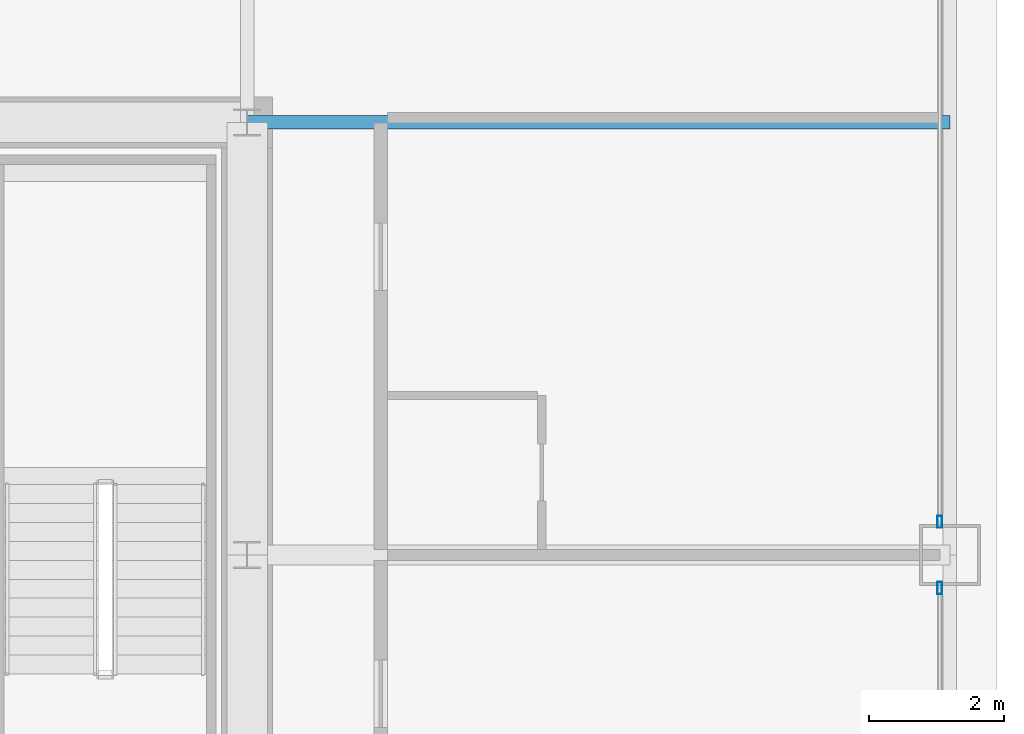
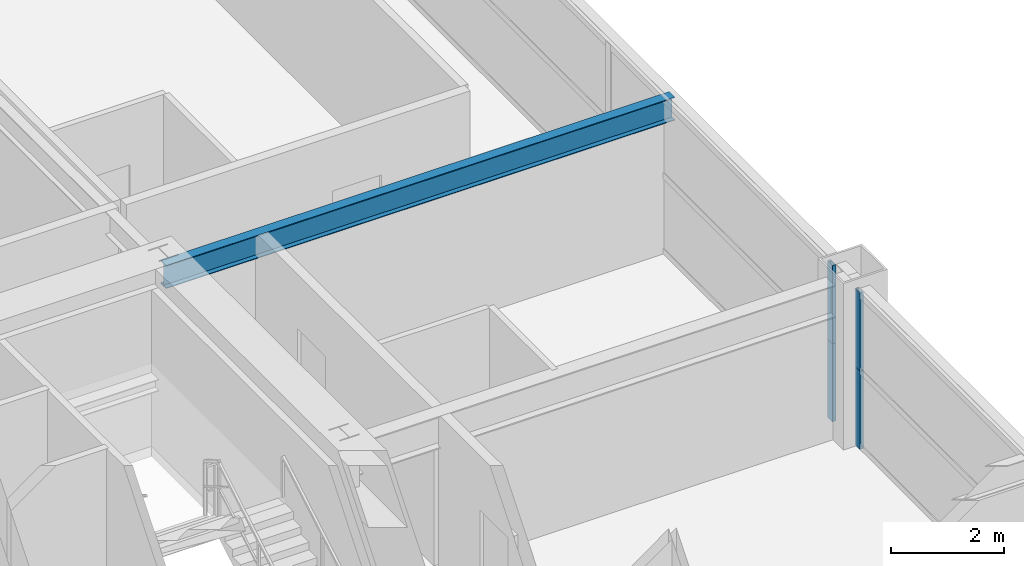
# One storey, part 23 of 43: 4 members, 1 beam, 2 elements without a shape of their own.
"""IFC4 building model written with IfcOpenShell, lengths in metres."""

import ifcopenshell
import ifcopenshell.guid

model = None  # the IFC model being written
_history = None  # IfcOwnerHistory: only IFC2X3 demands one
_inside = {}  # id of a spatial element -> (the spatial element, [elements in it])
_under = {}  # id of a project, library or spatial element -> (it, [spatial elements below it])
_declared = {}  # id of a project -> (the project, [libraries it declares])
_typed = {}  # id of a type object -> (the type object, [elements of that type])
_made_of = {}  # id of a material, layer set ... -> (it, [elements and type objects made of it])


def new_model(schema):
    """Start an empty IFC model of exactly this schema.

    Asked for "IFC4X3", IfcOpenShell would pick the latest addendum, in which some entities
    have other attributes; the version numbers below select the first issue.
    IFC2X3 requires an IfcOwnerHistory on every rooted entity: one is made here for all.
    """
    global model, _history
    if schema == "IFC4X3":
        model = ifcopenshell.file(schema_version=(4, 3, 0, 0))
    else:
        model = ifcopenshell.file(schema=schema)
    _inside.clear()
    _under.clear()
    _declared.clear()
    _typed.clear()
    _made_of.clear()
    _history = None
    if model.schema == "IFC2X3":
        org = make("IfcOrganization", Name="unknown")
        user = make(
            "IfcPersonAndOrganization",
            ThePerson=make("IfcPerson", FamilyName="unknown"),
            TheOrganization=org,
        )
        app = make(
            "IfcApplication",
            ApplicationDeveloper=org,
            Version="unknown",
            ApplicationFullName="unknown",
            ApplicationIdentifier="unknown",
        )
        _history = make(
            "IfcOwnerHistory",
            OwningUser=user,
            OwningApplication=app,
            ChangeAction="ADDED",
            CreationDate=0,
        )
    return model


def make(cls, **values):
    """One entity of the class cls with the attributes given. An attribute that is None is left unset."""
    return model.create_entity(
        cls, **{name: value for name, value in values.items() if value is not None}
    )


def rooted(cls, **values):
    """An entity with a GlobalId (a new one), such as an element, a storey or a relation."""
    return make(cls, GlobalId=ifcopenshell.guid.new(), OwnerHistory=_history, **values)


def si_unit(unit_type, name, prefix=None):
    """IfcSIUnit, for example si_unit("LENGTHUNIT", "METRE", prefix="MILLI")."""
    return make("IfcSIUnit", UnitType=unit_type, Prefix=prefix, Name=name)


def assignment(units):
    """IfcUnitAssignment: the units of a project."""
    return None if units is None else make("IfcUnitAssignment", Units=units)


def point(xyz):
    """IfcCartesianPoint."""
    return None if xyz is None else make("IfcCartesianPoint", Coordinates=xyz)


def direction(xyz):
    """IfcDirection."""
    return None if xyz is None else make("IfcDirection", DirectionRatios=xyz)


def frame(location, z_axis=None, x_axis=None):
    """IfcAxis2Placement3D, a coordinate frame: its origin and axes. An axis left out is left unset."""
    return make(
        "IfcAxis2Placement3D",
        Location=point(location),
        Axis=direction(z_axis),
        RefDirection=direction(x_axis),
    )


def frame_2d(location, x_axis=None):
    """IfcAxis2Placement2D, a coordinate frame in the plane: its origin and x axis."""
    return make(
        "IfcAxis2Placement2D", Location=point(location), RefDirection=direction(x_axis)
    )


def origin():
    """The frame at (0, 0, 0) with its axes left unset."""
    return frame((0.0, 0.0, 0.0))


def origin_2d():
    """The frame at (0, 0) in the plane with its x axis left unset."""
    return frame_2d((0.0, 0.0))


def place(relative_to, where):
    """IfcLocalPlacement: puts the frame where relative to a parent placement (None: the world)."""
    return make(
        "IfcLocalPlacement", PlacementRelTo=relative_to, RelativePlacement=where
    )


def context(
    kind, dimensions, precision=None, world=None, true_north=None, identifier=None
):
    """IfcGeometricRepresentationContext, for example the 3D "Model" context."""
    return make(
        "IfcGeometricRepresentationContext",
        ContextIdentifier=identifier,
        ContextType=kind,
        CoordinateSpaceDimension=dimensions,
        Precision=precision,
        WorldCoordinateSystem=world,
        TrueNorth=true_north,
    )


def subcontext(parent, identifier, kind, view, scale=None):
    """IfcGeometricRepresentationSubContext, for example "Body" below "Model"."""
    return make(
        "IfcGeometricRepresentationSubContext",
        ContextIdentifier=identifier,
        ContextType=kind,
        ParentContext=parent,
        TargetScale=scale,
        TargetView=view,
    )


def project(units=None, contexts=None):
    """IfcProject with its units and contexts."""
    return rooted(
        "IfcProject",
        Name="project",
        RepresentationContexts=contexts,
        UnitsInContext=assignment(units),
    )


def spatial(cls, under=None, at=None, **own):
    """A site, building, storey or space (cls), placed at a placement, below another one or the project."""
    s = rooted(cls, ObjectPlacement=at, **own)
    if under is not None:
        _under.setdefault(under.id(), (under, []))[1].append(s)
    return s


def profile(cls, at=None, kind="AREA", **sizes):
    """A parametric profile (cls). Its sizes go by their IFC names, for example OverallWidth=200.0."""
    return make(cls, ProfileType=kind, Position=at, **sizes)


def hollow_rectangle(**sizes):
    """IfcRectangleHollowProfileDef."""
    return profile("IfcRectangleHollowProfileDef", **sizes)


def i_section(**sizes):
    """IfcIShapeProfileDef."""
    return profile("IfcIShapeProfileDef", **sizes)


def extrude(swept, where, along, depth):
    """IfcExtrudedAreaSolid: the profile swept, set in the frame where, extruded along a direction by depth."""
    return make(
        "IfcExtrudedAreaSolid",
        SweptArea=swept,
        Position=where,
        ExtrudedDirection=direction(along),
        Depth=depth,
    )


def shape(context_of_items, identifier, shape_type, items):
    """IfcShapeRepresentation: the items that make up one representation, for example the "Body"."""
    return make(
        "IfcShapeRepresentation",
        ContextOfItems=context_of_items,
        RepresentationIdentifier=identifier,
        RepresentationType=shape_type,
        Items=items,
    )


def source(mapping_origin, context_of_items, identifier, shape_type, items):
    """IfcRepresentationMap: a shape defined once, which mapped items show again and again."""
    return make(
        "IfcRepresentationMap",
        MappingOrigin=mapping_origin,
        MappedRepresentation=shape(context_of_items, identifier, shape_type, items),
    )


def transform(
    local_origin,
    x_axis=None,
    y_axis=None,
    z_axis=None,
    scale=None,
    scale2=None,
    scale3=None,
    uniform=True,
):
    """IfcCartesianTransformationOperator3D, or its non-uniform kind. x_axis, y_axis, z_axis: its Axis1, 2, 3."""
    if uniform:
        return make(
            "IfcCartesianTransformationOperator3D",
            Axis1=direction(x_axis),
            Axis2=direction(y_axis),
            LocalOrigin=point(local_origin),
            Scale=scale,
            Axis3=direction(z_axis),
        )
    return make(
        "IfcCartesianTransformationOperator3DnonUniform",
        Axis1=direction(x_axis),
        Axis2=direction(y_axis),
        LocalOrigin=point(local_origin),
        Scale=scale,
        Axis3=direction(z_axis),
        Scale2=scale2,
        Scale3=scale3,
    )


def mapped(mapping_source, mapping_target):
    """IfcMappedItem: shows the shape of a source again, moved by a transform."""
    return make(
        "IfcMappedItem", MappingSource=mapping_source, MappingTarget=mapping_target
    )


def material(Name=None, Category=None):
    """IfcMaterial."""
    return make("IfcMaterial", Name=Name, Category=Category)


def layer(
    of_material, thickness, ventilated=None, Name=None, Category=None, Priority=None
):
    """IfcMaterialLayer: one layer of a wall or slab, of a material (None: an air gap)."""
    return make(
        "IfcMaterialLayer",
        Material=of_material,
        LayerThickness=thickness,
        IsVentilated=ventilated,
        Name=Name,
        Category=Category,
        Priority=Priority,
    )


def layer_set(layers, Name=None):
    """IfcMaterialLayerSet."""
    return make("IfcMaterialLayerSet", MaterialLayers=layers, LayerSetName=Name)


def material_profile(
    of_material, cross_section, Name=None, Category=None, Priority=None
):
    """IfcMaterialProfile: a cross section and its material."""
    return make(
        "IfcMaterialProfile",
        Name=Name,
        Material=of_material,
        Profile=cross_section,
        Priority=Priority,
        Category=Category,
    )


def profile_set(profiles, Name=None, composite=None):
    """IfcMaterialProfileSet."""
    return make(
        "IfcMaterialProfileSet",
        Name=Name,
        MaterialProfiles=profiles,
        CompositeProfile=composite,
    )


def made_of(thing, what):
    """Note that an element or type object is made of a material, layer set ...; save() writes the relation."""
    if what is not None:
        _made_of.setdefault(what.id(), (what, []))[1].append(thing)
    return thing


def type_object(cls, material=None, **own):
    """A type object (cls), such as IfcWallType, which elements share."""
    return made_of(rooted(cls, **own), material)


def element(
    cls,
    number,
    at=None,
    inside=None,
    cuts=None,
    type_object=None,
    material=None,
    context=None,
    identifier="Body",
    shape_type=None,
    held_by="IfcProductDefinitionShape",
    body=None,
    shapes=None,
    **own,
):
    """One element of the class cls, such as IfcWall. Its Tag is "e" and its number.

    at: its placement. inside: the storey or other place that contains it. cuts: it is an
    opening in that element (IfcRelVoidsElement). A single representation is given by context,
    identifier, shape_type and body (its items); several are given by shapes. held_by: the class
    of the entity that holds the representations. save() writes the other relations.
    """
    e = rooted(cls, Tag="e%d" % number, ObjectPlacement=at, **own)
    if body is not None:
        shapes = [shape(context, identifier, shape_type, body)]
    if shapes is not None:
        e.Representation = make(held_by, Representations=shapes)
    if inside is not None:
        _inside.setdefault(inside.id(), (inside, []))[1].append(e)
    if cuts is not None:
        rooted(
            "IfcRelVoidsElement", RelatingBuildingElement=cuts, RelatedOpeningElement=e
        )
    if type_object is not None:
        _typed.setdefault(type_object.id(), (type_object, []))[1].append(e)
    return made_of(e, material)


def aggregate(whole, parts):
    """IfcRelAggregates: a whole, such as a stair, and the parts it consists of."""
    return rooted("IfcRelAggregates", RelatingObject=whole, RelatedObjects=parts)


def save(model, path):
    """Write the relations noted so far, then the file.

    IfcRelAggregates (storeys below a building ...), IfcRelContainedInSpatialStructure (elements
    in a storey), IfcRelDefinesByType, IfcRelAssociatesMaterial and IfcRelDeclares: one each for
    every whole, place, type object, material and project.
    """
    for whole, parts in _under.values():
        aggregate(whole, parts)
    for where, things in _inside.values():
        rooted(
            "IfcRelContainedInSpatialStructure",
            RelatedElements=things,
            RelatingStructure=where,
        )
    for kind, things in _typed.values():
        rooted("IfcRelDefinesByType", RelatedObjects=things, RelatingType=kind)
    for what, things in _made_of.values():
        rooted("IfcRelAssociatesMaterial", RelatedObjects=things, RelatingMaterial=what)
    for by, libraries in _declared.values():
        rooted("IfcRelDeclares", RelatingContext=by, RelatedDefinitions=libraries)
    model.write(path)


model = new_model("IFC4")

# Units and contexts
model_context = context("Model", 3, precision=1e-05, world=origin(), true_north=direction((0.0, 1.0)))
body_context = subcontext(model_context, "Body", "Model", "MODEL_VIEW")
ifc_project = project(units=[si_unit("LENGTHUNIT", "METRE"), si_unit("AREAUNIT", "SQUARE_METRE"), si_unit("VOLUMEUNIT", "CUBIC_METRE"), si_unit("PLANEANGLEUNIT", "RADIAN"), si_unit("MASSUNIT", "GRAM", prefix="KILO"), si_unit("THERMODYNAMICTEMPERATUREUNIT", "KELVIN"), si_unit("POWERUNIT", "WATT")], contexts=[model_context])

# Site, building, storey
site_placement = place(None, origin())
site = spatial("IfcSite", under=ifc_project, at=site_placement, CompositionType="ELEMENT")
building_placement = place(site_placement, origin())
building = spatial("IfcBuilding", under=site, at=building_placement, Name="Yuzanri Waterfront Tower", CompositionType="ELEMENT")
storey_placement = place(building_placement, frame((0.0, 0.0, 138.0)))
storey = spatial("IfcBuildingStorey", under=building, at=storey_placement, Name="L36", CompositionType="ELEMENT", Elevation=138.0)

# Beam
ifc_material_1 = material(Name="Steel Q355B", Category="steel")
ifc_material_profile_1 = material_profile(ifc_material_1, i_section(OverallWidth=0.199951171875, OverallDepth=0.5, WebThickness=0.010009765625, FlangeThickness=0.01611328125, at=origin_2d()), Name="HN 500x200x10x16")
ifc_profile_set_1 = profile_set([ifc_material_profile_1], Name="Steel Q355B")
beam_type = type_object("IfcBeamType", Name="Secondary Floor Beam Q355B HN 500x200", PredefinedType="BEAM", material=ifc_profile_set_1)
shared_shape_1 = source(origin(), body_context, "Body", "SweptSolid", [
    extrude(i_section(OverallWidth=0.199951171875, OverallDepth=0.5, WebThickness=0.010009765625, FlangeThickness=0.01611328125, at=origin_2d()), origin(), (0.0, 0.0, 1.0), 10.400146484375),
])
beam_placement = place(storey_placement, frame((50.199951171875, 32.199951171875, 3.1298828125), z_axis=(1.0, 0.0, 0.0), x_axis=(0.0, 1.0, 0.0)))
element("IfcBeam", 1, at=beam_placement, inside=storey, type_object=beam_type, Name="L36 East-North Core Line Beam", PredefinedType="BEAM", context=body_context, shape_type="MappedRepresentation", body=[
    mapped(shared_shape_1, transform((0.0, 0.0, 0.0), scale=1.0)),
])

# Curtain wall, members
ifc_material_2 = material(Name="Anodized Architectural Bronze", Category="metal")
ifc_layer = layer(ifc_material_2, 0.159912109375)
ifc_layer_set = layer_set([ifc_layer], Name="Anodized Architectural Bronze")
curtain_wall_type = type_object("IfcCurtainWallType", Name="Anodized Bronze Hotel Upper-Tier Solar-Control Unitized Curtain Wall 7800", PredefinedType="NOTDEFINED", material=ifc_layer_set)
curtain_wall_1_placement = place(storey_placement, origin())
curtain_wall_1 = element("IfcCurtainWall", 2, at=curtain_wall_1_placement, inside=storey, type_object=curtain_wall_type, Name="L36 Curtain Wall CW-L36-EL", PredefinedType="NOTDEFINED")
ifc_material_3 = material(Name="Anodized Architectural Bronze", Category="metal")
ifc_material_profile_2 = material_profile(ifc_material_3, hollow_rectangle(XDim=0.070068359375, YDim=0.179931640625, WallThickness=0.00390625, at=origin_2d()), Name="CWM 70x180")
ifc_profile_set_2 = profile_set([ifc_material_profile_2], Name="Anodized Architectural Bronze")
member_type = type_object("IfcMemberType", Name="Anodized Bronze Standard Curtain-Wall Mullion 70x180", PredefinedType="MULLION", material=ifc_profile_set_2)
shared_shape_2 = source(origin(), body_context, "Body", "SweptSolid", [
    extrude(hollow_rectangle(XDim=0.070068359375, YDim=0.179931640625, WallThickness=0.00390625, at=origin_2d()), origin(), (0.0, 0.0, 1.0), 1.68798828125),
])
member_1_placement = place(storey_placement, frame((60.449951171875, 25.31005859375, 0.0), z_axis=(0.0, 0.0, 1.0), x_axis=(1.0, 0.0, 0.0)))
member_1 = element("IfcMember", 3, at=member_1_placement, type_object=member_type, Name="CW-L36-EL Lower Mullion 02", PredefinedType="MULLION", context=body_context, shape_type="MappedRepresentation", body=[
    mapped(shared_shape_2, transform((0.0, 0.0, 0.0), scale=1.0)),
])
member_2_placement = place(storey_placement, frame((60.449951171875, 25.31005859375, 1.69189453125), z_axis=(0.0, 0.0, 1.0), x_axis=(1.0, 0.0, 0.0)))
member_2 = element("IfcMember", 4, at=member_2_placement, type_object=member_type, Name="CW-L36-EL Upper Mullion 02", PredefinedType="MULLION", context=body_context, shape_type="MappedRepresentation", body=[
    mapped(shared_shape_2, transform((0.0, 0.0, 0.0), scale=1.0)),
])
aggregate(curtain_wall_1, [member_1, member_2])

curtain_wall_2_placement = place(storey_placement, origin())
curtain_wall_2 = element("IfcCurtainWall", 5, at=curtain_wall_2_placement, inside=storey, type_object=curtain_wall_type, Name="L36 Curtain Wall CW-L36-ER", PredefinedType="NOTDEFINED")
member_3_placement = place(storey_placement, frame((60.449951171875, 26.2900390625, 0.0), z_axis=(0.0, 0.0, 1.0), x_axis=(1.0, 0.0, 0.0)))
member_3 = element("IfcMember", 6, at=member_3_placement, type_object=member_type, Name="CW-L36-ER Lower Mullion 00", PredefinedType="MULLION", context=body_context, shape_type="MappedRepresentation", body=[
    mapped(shared_shape_2, transform((0.0, 0.0, 0.0), scale=1.0)),
])
member_4_placement = place(storey_placement, frame((60.449951171875, 26.2900390625, 1.69189453125), z_axis=(0.0, 0.0, 1.0), x_axis=(1.0, 0.0, 0.0)))
member_4 = element("IfcMember", 7, at=member_4_placement, type_object=member_type, Name="CW-L36-ER Upper Mullion 00", PredefinedType="MULLION", context=body_context, shape_type="MappedRepresentation", body=[
    mapped(shared_shape_2, transform((0.0, 0.0, 0.0), scale=1.0)),
])
aggregate(curtain_wall_2, [member_3, member_4])

save(model, "model.ifc")
